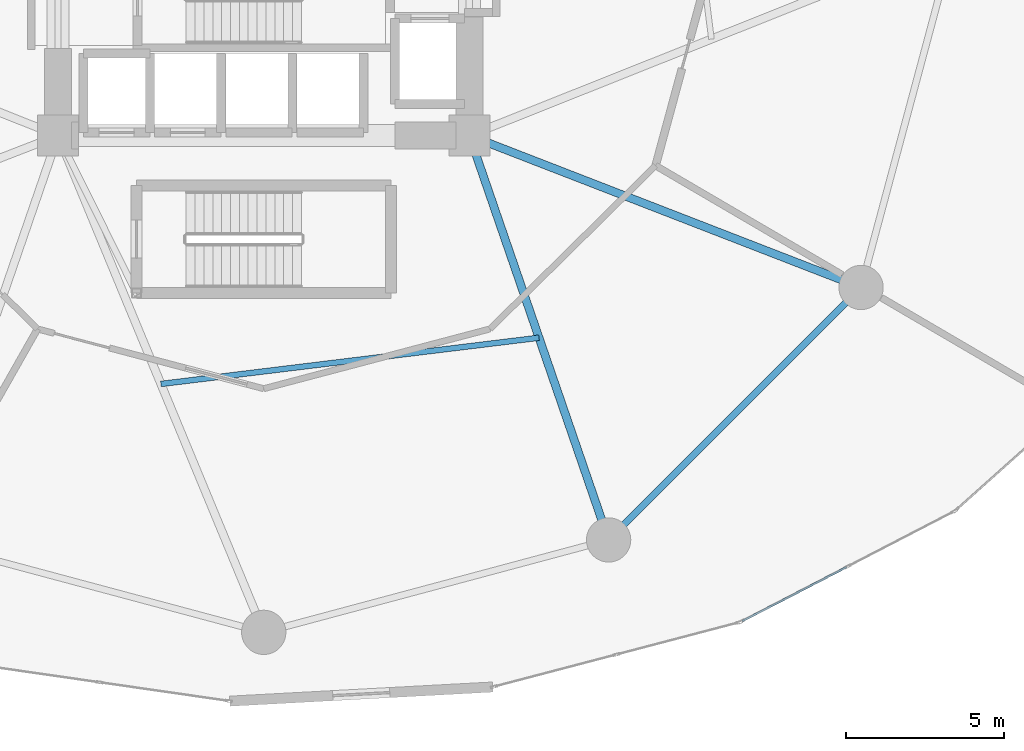
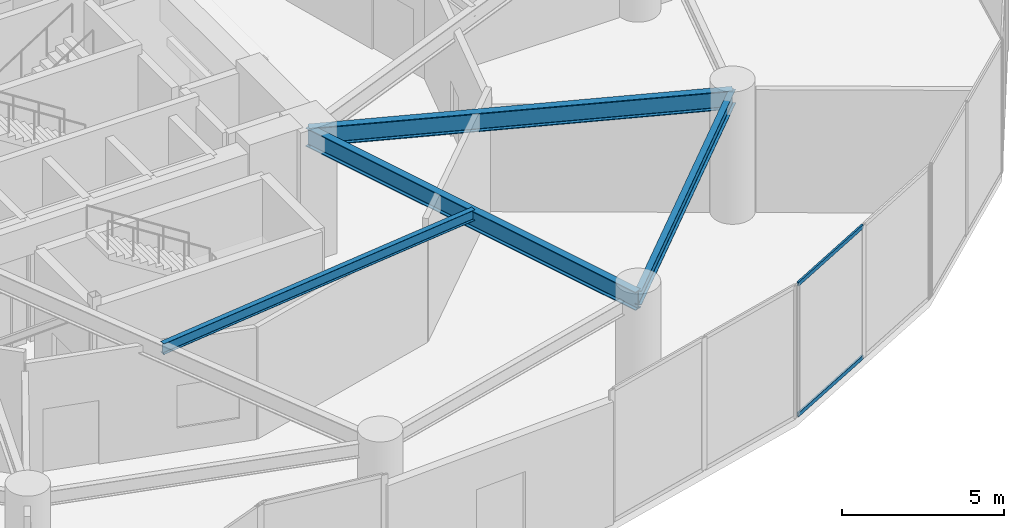
# One storey, part 11 of 31: 4 beams, 2 members, 1 element without a shape of its own.
"""IFC4 building model written with IfcOpenShell, lengths in metres."""

from ifc_helpers import new_model, si_unit, direction, frame, origin, origin_2d, place, context, subcontext, project, spatial, hollow_rectangle, i_section, extrude, source, transform, mapped, material, layer, layer_set, material_profile, profile_set, type_object, element, aggregate, save


model = new_model("IFC4")

# Units and contexts
model_context = context("Model", 3, precision=1e-05, world=origin(), true_north=direction((0.0, 1.0)))
body_context = subcontext(model_context, "Body", "Model", "MODEL_VIEW")
ifc_project = project(units=[si_unit("LENGTHUNIT", "METRE"), si_unit("AREAUNIT", "SQUARE_METRE"), si_unit("VOLUMEUNIT", "CUBIC_METRE"), si_unit("PLANEANGLEUNIT", "RADIAN"), si_unit("MASSUNIT", "GRAM", prefix="KILO")], contexts=[model_context])

# Site, building, storey
site_placement = place(None, origin())
site = spatial("IfcSite", under=ifc_project, at=site_placement, CompositionType="ELEMENT")
building_placement = place(site_placement, origin())
building = spatial("IfcBuilding", under=site, at=building_placement, Name="Solvirekh Grand Hotel", CompositionType="ELEMENT")
storey_placement = place(building_placement, frame((0.0, 0.0, 18.60009765625)))
storey = spatial("IfcBuildingStorey", under=building, at=storey_placement, Name="L03", CompositionType="ELEMENT", Elevation=18.60009765625)

# Beams
ifc_material_1 = material(Name="Steel S355", Category="steel")
ifc_material_profile_1 = material_profile(ifc_material_1, i_section(OverallWidth=0.2548828125, OverallDepth=0.695068359375, WebThickness=0.01611328125, FlangeThickness=0.028076171875, FilletRadius=0.01611328125, at=origin_2d()), Name="W690X217")
ifc_profile_set_1 = profile_set([ifc_material_profile_1], Name="Steel S355")
beam_type_1 = type_object("IfcBeamType", Name="Beam_Primary_W690", PredefinedType="BEAM", material=ifc_profile_set_1)
beam_1_placement = place(storey_placement, frame((6.5, -6.10009765625, 4.2919921875), z_axis=(0.325555300394, -0.94552300151, 0.0), x_axis=(0.94552300151, 0.325555300394, 0.0)))
element("IfcBeam", 1, at=beam_1_placement, inside=storey, type_object=beam_type_1, Name="L03 radial floor beam R11", PredefinedType="BEAM", context=body_context, shape_type="SweptSolid", body=[
    extrude(i_section(OverallWidth=0.2548828125, OverallDepth=0.695068359375, WebThickness=0.01611328125, FlangeThickness=0.028076171875, FilletRadius=0.01611328125, at=origin_2d()), origin(), (0.0, 0.0, 1.0), 13.51513671875),
])
beam_2_placement = place(storey_placement, frame((6.5, -6.10009765625, 4.2919921875), z_axis=(0.932365862704, -0.361516110381, 0.0), x_axis=(0.361516110381, 0.932365862704, 0.0)))
element("IfcBeam", 2, at=beam_2_placement, inside=storey, type_object=beam_type_1, Name="L03 radial floor beam R12", PredefinedType="BEAM", context=body_context, shape_type="SweptSolid", body=[
    extrude(i_section(OverallWidth=0.2548828125, OverallDepth=0.695068359375, WebThickness=0.01611328125, FlangeThickness=0.028076171875, FilletRadius=0.01611328125, at=origin_2d()), origin(), (0.0, 0.0, 1.0), 13.27685546875),
])
ifc_material_profile_2 = material_profile(ifc_material_1, i_section(OverallWidth=0.177978515625, OverallDepth=0.406982421875, WebThickness=0.008056640625, FlangeThickness=0.011962890625, FilletRadius=0.011962890625, at=origin_2d()), Name="W410X60")
ifc_profile_set_2 = profile_set([ifc_material_profile_2], Name="Steel S355")
beam_type_2 = type_object("IfcBeamType", Name="Joist_Floor_W410", PredefinedType="JOIST", material=ifc_profile_set_2)
beam_3_placement = place(storey_placement, frame((-3.25, -13.949951171875, 4.43701171875), z_axis=(0.992609637169, 0.121351177167, 0.0), x_axis=(-0.121351177167, 0.992609637169, 0.0)))
element("IfcBeam", 3, at=beam_3_placement, inside=storey, type_object=beam_type_2, Name="L03 secondary composite floor joist 10", PredefinedType="JOIST", context=body_context, shape_type="SweptSolid", body=[
    extrude(i_section(OverallWidth=0.177978515625, OverallDepth=0.406982421875, WebThickness=0.008056640625, FlangeThickness=0.011962890625, FilletRadius=0.011962890625, at=origin_2d()), origin(), (0.0, 0.0, 1.0), 12.038818359375),
])
ifc_material_profile_3 = material_profile(ifc_material_1, i_section(OverallWidth=0.208984375, OverallDepth=0.532958984375, WebThickness=0.010009765625, FlangeThickness=0.014892578125, FilletRadius=0.013916015625, at=origin_2d()), Name="W530X92")
ifc_profile_set_3 = profile_set([ifc_material_profile_3], Name="Steel S355")
beam_type_3 = type_object("IfcBeamType", Name="Spandrel_Ring_W530", PredefinedType="SPANDREL", material=ifc_profile_set_3)
beam_4_placement = place(storey_placement, frame((10.89990234375, -18.87890625, 4.372802734375), z_axis=(0.707106781187, 0.707106781187, 0.0), x_axis=(-0.707106781187, 0.707106781187, 0.0)))
element("IfcBeam", 4, at=beam_4_placement, inside=storey, type_object=beam_type_3, Name="L03 perimeter spandrel beam 11", PredefinedType="SPANDREL", context=body_context, shape_type="SweptSolid", body=[
    extrude(i_section(OverallWidth=0.208984375, OverallDepth=0.532958984375, WebThickness=0.010009765625, FlangeThickness=0.014892578125, FilletRadius=0.013916015625, at=origin_2d()), origin(), (0.0, 0.0, 1.0), 11.283935546875),
])

# Curtain wall, members
ifc_material_2 = material(Name="Anodized Bronze Aluminium 6063-T6", Category="aluminium")
ifc_layer = layer(ifc_material_2, 0.219970703125)
ifc_layer_set = layer_set([ifc_layer], Name="Anodized Bronze Aluminium 6063-T6")
curtain_wall_type = type_object("IfcCurtainWallType", Name="CW_Sys1_PodiumBronzeUnitised", PredefinedType="NOTDEFINED", material=ifc_layer_set)
curtain_wall_placement = place(storey_placement, origin())
curtain_wall = element("IfcCurtainWall", 5, at=curtain_wall_placement, inside=storey, type_object=curtain_wall_type, Name="L03 unitised bronze-glass curtain wall CW-L03-C21", PredefinedType="NOTDEFINED")
ifc_material_profile_4 = material_profile(ifc_material_2, hollow_rectangle(XDim=0.06494140625, YDim=0.14990234375, WallThickness=0.0048828125, at=origin_2d()), Name="ALU RHS 150X65X5")
ifc_profile_set_4 = profile_set([ifc_material_profile_4], Name="Anodized Bronze Aluminium 6063-T6")
member_type = type_object("IfcMemberType", Name="CWTransom_Sys1", PredefinedType="USERDEFINED", material=ifc_profile_set_4)
shared_shape = source(origin(), body_context, "Body", "SweptSolid", [
    extrude(hollow_rectangle(XDim=0.06494140625, YDim=0.14990234375, WallThickness=0.0048828125, at=origin_2d()), origin(), (0.0, 0.0, 1.0), 3.7109375),
])
member_1_placement = place(storey_placement, frame((15.12255859375, -21.444580078125, 0.032470703125), z_axis=(0.888089856597, 0.459669888736, 0.0), x_axis=(-0.459669888736, 0.888089856597, 0.0)))
member_1 = element("IfcMember", 6, at=member_1_placement, type_object=member_type, Name="U01 transom 1.1", ObjectType="TRANSOM", PredefinedType="USERDEFINED", context=body_context, shape_type="MappedRepresentation", body=[
    mapped(shared_shape, transform((0.0, 0.0, 0.0), x_axis=(1.0, 0.0, 0.0), y_axis=(0.0, 1.0, 0.0), z_axis=(0.0, 0.0, 1.0), scale=1.0)),
])
member_2_placement = place(storey_placement, frame((15.12255859375, -21.444580078125, 4.96728515625), z_axis=(0.888089856597, 0.459669888736, 0.0), x_axis=(-0.459669888736, 0.888089856597, 0.0)))
member_2 = element("IfcMember", 7, at=member_2_placement, type_object=member_type, Name="U01 transom 1.2", ObjectType="TRANSOM", PredefinedType="USERDEFINED", context=body_context, shape_type="MappedRepresentation", body=[
    mapped(shared_shape, transform((0.0, 0.0, 0.0), x_axis=(1.0, 0.0, 0.0), y_axis=(0.0, 1.0, 0.0), z_axis=(0.0, 0.0, 1.0), scale=1.0)),
])
aggregate(curtain_wall, [member_1, member_2])

save(model, "model.ifc")
